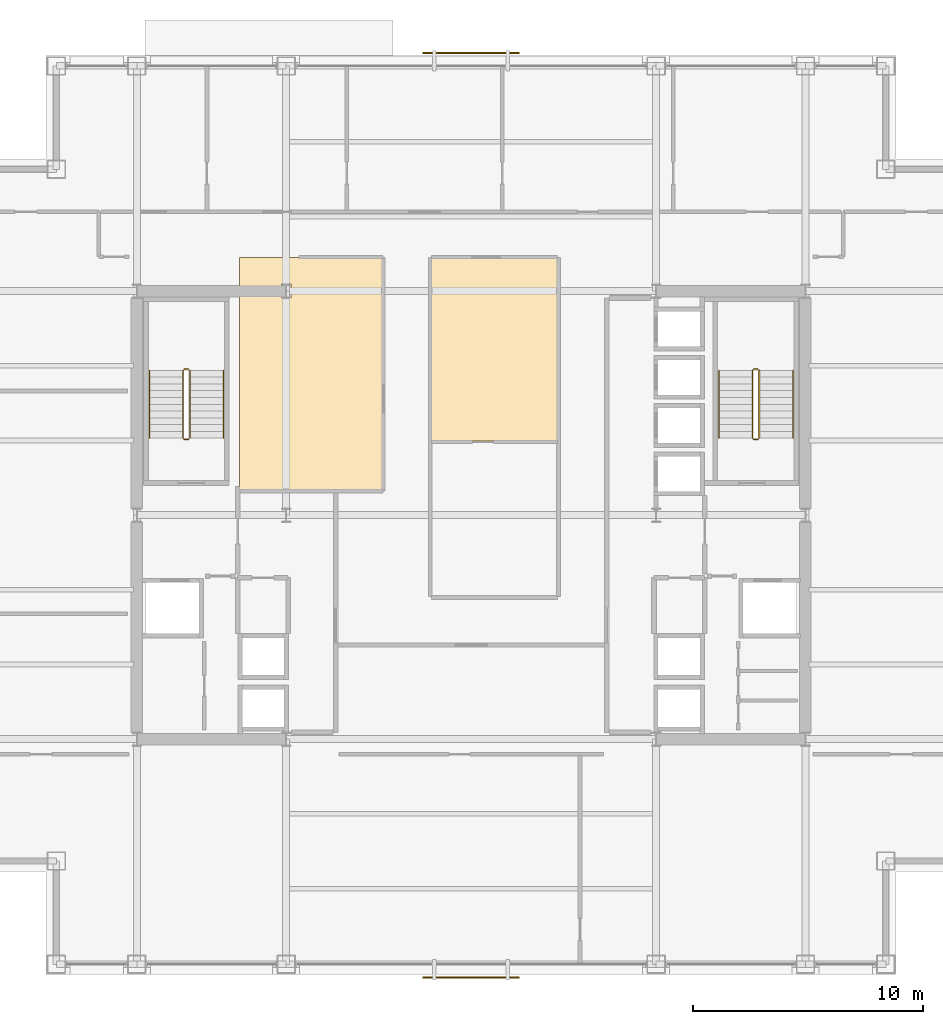
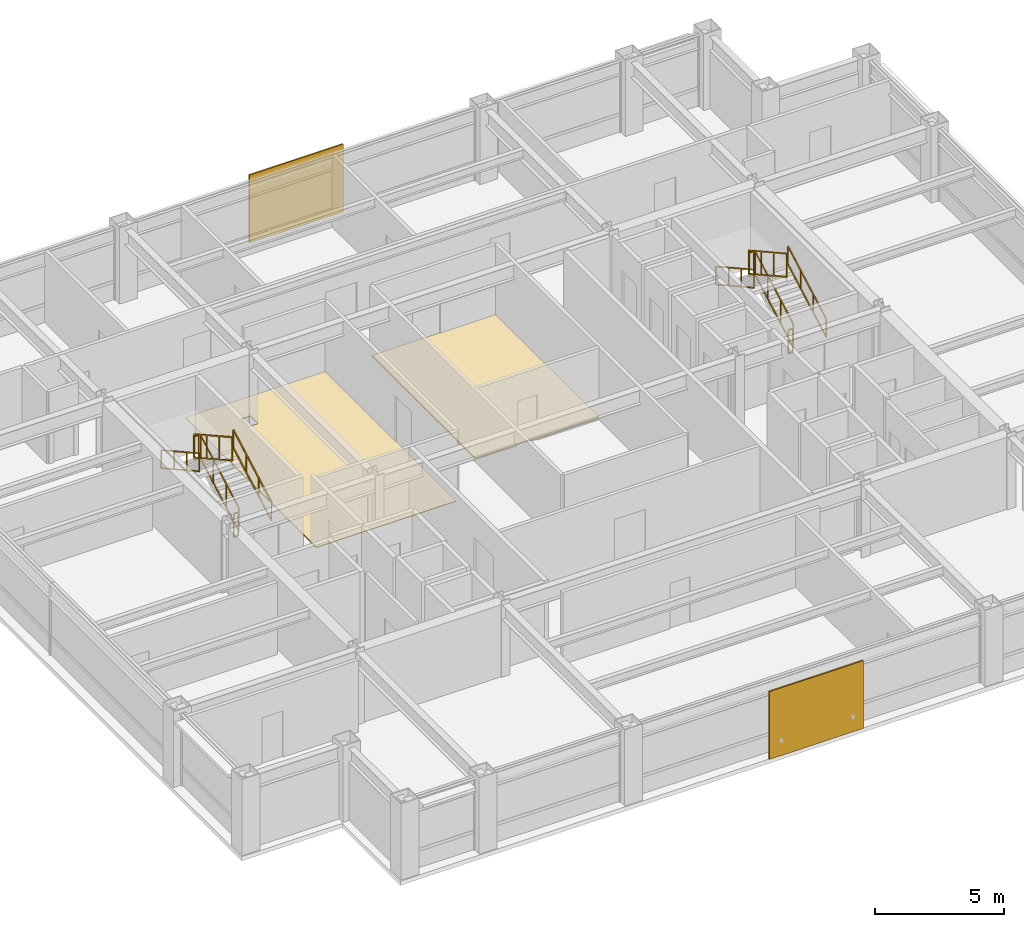
# One storey, part 28 of 28: 12 railings, 2 coverings, 2 shading devices.
"""IFC4 building model written with IfcOpenShell, lengths in metres."""

from ifc_helpers import new_model, si_unit, direction, frame, origin, origin_2d, place, context, subcontext, project, spatial, polyline, rectangle, outline, extrude, material, layer, layer_set, type_object, element, save


model = new_model("IFC4")

# Units and contexts
model_context = context("Model", 3, precision=1e-05, world=origin(), true_north=direction((0.0, 1.0)))
body_context = subcontext(model_context, "Body", "Model", "MODEL_VIEW")
ifc_project = project(units=[si_unit("LENGTHUNIT", "METRE"), si_unit("AREAUNIT", "SQUARE_METRE"), si_unit("VOLUMEUNIT", "CUBIC_METRE"), si_unit("PLANEANGLEUNIT", "RADIAN"), si_unit("MASSUNIT", "GRAM", prefix="KILO")], contexts=[model_context])

# Site, building, storey
site_placement = place(None, origin())
site = spatial("IfcSite", under=ifc_project, at=site_placement, CompositionType="ELEMENT")
building_placement = place(site_placement, origin())
building = spatial("IfcBuilding", under=site, at=building_placement, Name="Brelmoor Portico Tower", CompositionType="ELEMENT")
storey_placement = place(building_placement, frame((0.0, 0.0, 142.199951171875)))
storey = spatial("IfcBuildingStorey", under=building, at=storey_placement, Name="L37", CompositionType="ELEMENT", Elevation=142.199951171875)

# Coverings
ifc_material_1 = material(Name="Calcium-Sulphate Raised Access Floor Panel", Category="steel")
ifc_layer_1 = layer(ifc_material_1, 0.06005859375)
ifc_layer_set_1 = layer_set([ifc_layer_1], Name="Calcium-Sulphate Raised Access Floor Panel")
covering_type_1 = type_object("IfcCoveringType", Name="CV-FLR-ACCESS-60", PredefinedType="FLOORING", material=ifc_layer_set_1)
covering_1_placement = place(storey_placement, origin())
element("IfcCovering", 1, at=covering_1_placement, inside=storey, type_object=covering_type_1, Name="L37 Architectural Floor Finish 02", PredefinedType="FLOORING", context=body_context, shape_type="SweptSolid", body=[
    extrude(outline(polyline([(-1.760009765625, 3.219970703125), (-1.760009765625, 11.2099609375), (3.780029296875, 11.2099609375), (3.780029296875, 3.219970703125), (-1.760009765625, 3.219970703125)])), origin(), (0.0, 0.0, 1.0), 0.06005859375),
])
ifc_material_2 = material(Name="Honed Pearl-Grey Granite Paver Finish", Category="masonry")
ifc_layer_2 = layer(ifc_material_2, 0.0380859375)
ifc_layer_set_2 = layer_set([ifc_layer_2], Name="Honed Pearl-Grey Granite Paver Finish")
covering_type_2 = type_object("IfcCoveringType", Name="CV-FLR-GRANITE-38", PredefinedType="FLOORING", material=ifc_layer_set_2)
covering_2_placement = place(storey_placement, origin())
element("IfcCovering", 2, at=covering_2_placement, inside=storey, type_object=covering_type_2, Name="L37 Architectural Floor Finish 01", PredefinedType="FLOORING", context=body_context, shape_type="SweptSolid", body=[
    extrude(outline(polyline([(-10.080078125, 11.2099609375), (-3.840087890625, 11.2099609375), (-3.840087890625, 1.090087890625), (-10.080078125, 1.090087890625), (-10.080078125, 11.2099609375)]), holes=[polyline([(-7.85009765625, 9.449951171875), (-7.85009765625, 10.050048828125), (-8.25, 10.050048828125), (-8.25, 9.449951171875), (-7.85009765625, 9.449951171875)])]), origin(), (0.0, 0.0, 1.0), 0.0380859375),
])

# Railings
ifc_material_3 = material(Name="Painted Tubular Steel Q235B", Category="steel")
railing_type_1 = type_object("IfcRailingType", Name="RL-STAIR-GUARD", PredefinedType="GUARDRAIL", material=ifc_material_3)
railing_1_placement = place(storey_placement, frame((-12.239990234375, 3.35009765625, 0.16357421875)))
element("IfcRailing", 3, at=railing_1_placement, inside=storey, type_object=railing_type_1, Name="L37 ST-W stair guard 1", PredefinedType="GUARDRAIL", context=body_context, shape_type="SweptSolid", body=[
    extrude(rectangle(XDim=0.048095703125, YDim=0.048095703125, at=origin_2d()), frame((0.0, 0.0, 1.1259765625), z_axis=(0.0, 0.874457516365, 0.485102104791), x_axis=(-1.0, 0.0, 0.0)), (0.0, 0.0, 1.0), 3.37353515625),
    extrude(rectangle(XDim=0.048095703125, YDim=0.048095703125, at=origin_2d()), frame((0.0, 0.0, 0.02392578125), z_axis=(0.0, 0.874457516365, 0.485102104791), x_axis=(-1.0, 0.0, 0.0)), (0.0, 0.0, 1.0), 3.37353515625),
    extrude(rectangle(XDim=0.0419921875, YDim=0.0419921875, at=origin_2d()), origin(), (0.0, 0.0, 1.0), 1.101806640625),
    extrude(rectangle(XDim=0.0419921875, YDim=0.0419921875, at=origin_2d()), frame((0.0, 0.9833984375, 0.54541015625)), (0.0, 0.0, 1.0), 1.101806640625),
    extrude(rectangle(XDim=0.0419921875, YDim=0.0419921875, at=origin_2d()), frame((0.0, 1.966552734375, 1.091064453125)), (0.0, 0.0, 1.0), 1.101806640625),
    extrude(rectangle(XDim=0.0419921875, YDim=0.0419921875, at=origin_2d()), frame((0.0, 2.949951171875, 1.636474609375)), (0.0, 0.0, 1.0), 1.101806640625),
])
railing_2_placement = place(storey_placement, frame((-12.2900390625, 6.35009765625, 1.800048828125)))
element("IfcRailing", 4, at=railing_2_placement, inside=storey, type_object=railing_type_1, Name="L37 ST-W stair guard 2", PredefinedType="GUARDRAIL", context=body_context, shape_type="SweptSolid", body=[
    extrude(rectangle(XDim=0.048095703125, YDim=0.048095703125, at=origin_2d()), frame((0.0, 0.0, 1.1259765625), z_axis=(-1.0, 0.0, 0.0), x_axis=(0.0, -1.0, 0.0)), (0.0, 0.0, 1.0), 0.199951171875),
    extrude(rectangle(XDim=0.048095703125, YDim=0.048095703125, at=origin_2d()), frame((0.0, 0.0, 0.02392578125), z_axis=(-1.0, 0.0, 0.0), x_axis=(0.0, -1.0, 0.0)), (0.0, 0.0, 1.0), 0.199951171875),
    extrude(rectangle(XDim=0.0419921875, YDim=0.0419921875, at=origin_2d()), origin(), (0.0, 0.0, 1.0), 1.101806640625),
    extrude(rectangle(XDim=0.0419921875, YDim=0.0419921875, at=origin_2d()), frame((-0.199951171875, 0.0, 0.0)), (0.0, 0.0, 1.0), 1.101806640625),
])
railing_3_placement = place(storey_placement, frame((-12.5400390625, 6.300048828125, 1.963623046875)))
element("IfcRailing", 5, at=railing_3_placement, inside=storey, type_object=railing_type_1, Name="L37 ST-W stair guard 3", PredefinedType="GUARDRAIL", context=body_context, shape_type="SweptSolid", body=[
    extrude(rectangle(XDim=0.048095703125, YDim=0.048095703125, at=origin_2d()), frame((0.0, 0.0, 1.1259765625), z_axis=(0.0, -0.874457516365, 0.485102104791), x_axis=(1.0, 0.0, 0.0)), (0.0, 0.0, 1.0), 3.37353515625),
    extrude(rectangle(XDim=0.048095703125, YDim=0.048095703125, at=origin_2d()), frame((0.0, 0.0, 0.02392578125), z_axis=(0.0, -0.874457516365, 0.485102104791), x_axis=(1.0, 0.0, 0.0)), (0.0, 0.0, 1.0), 3.37353515625),
    extrude(rectangle(XDim=0.0419921875, YDim=0.0419921875, at=origin_2d()), origin(), (0.0, 0.0, 1.0), 1.101806640625),
    extrude(rectangle(XDim=0.0419921875, YDim=0.0419921875, at=origin_2d()), frame((0.0, -0.9833984375, 0.54541015625)), (0.0, 0.0, 1.0), 1.101806640625),
    extrude(rectangle(XDim=0.0419921875, YDim=0.0419921875, at=origin_2d()), frame((0.0, -1.966552734375, 1.091064453125)), (0.0, 0.0, 1.0), 1.101806640625),
    extrude(rectangle(XDim=0.0419921875, YDim=0.0419921875, at=origin_2d()), frame((0.0, -2.949951171875, 1.636474609375)), (0.0, 0.0, 1.0), 1.101806640625),
])
railing_4_placement = place(storey_placement, frame((-12.2900390625, 3.300048828125, 0.0)))
element("IfcRailing", 6, at=railing_4_placement, inside=storey, type_object=railing_type_1, Name="L37 ST-W stair guard 4", PredefinedType="GUARDRAIL", context=body_context, shape_type="SweptSolid", body=[
    extrude(rectangle(XDim=0.048095703125, YDim=0.048095703125, at=origin_2d()), frame((0.0, 0.0, 1.1259765625), z_axis=(-1.0, 0.0, 0.0), x_axis=(0.0, -1.0, 0.0)), (0.0, 0.0, 1.0), 0.199951171875),
    extrude(rectangle(XDim=0.048095703125, YDim=0.048095703125, at=origin_2d()), frame((0.0, 0.0, 0.02392578125), z_axis=(-1.0, 0.0, 0.0), x_axis=(0.0, -1.0, 0.0)), (0.0, 0.0, 1.0), 0.199951171875),
    extrude(rectangle(XDim=0.0419921875, YDim=0.0419921875, at=origin_2d()), origin(), (0.0, 0.0, 1.0), 1.101806640625),
    extrude(rectangle(XDim=0.0419921875, YDim=0.0419921875, at=origin_2d()), frame((-0.199951171875, 0.0, 0.0)), (0.0, 0.0, 1.0), 1.101806640625),
])
railing_5_placement = place(storey_placement, frame((12.5400390625, 3.35009765625, 0.16357421875)))
element("IfcRailing", 7, at=railing_5_placement, inside=storey, type_object=railing_type_1, Name="L37 ST-E stair guard 1", PredefinedType="GUARDRAIL", context=body_context, shape_type="SweptSolid", body=[
    extrude(rectangle(XDim=0.048095703125, YDim=0.048095703125, at=origin_2d()), frame((0.0, 0.0, 1.1259765625), z_axis=(0.0, 0.874457516365, 0.485102104791), x_axis=(-1.0, 0.0, 0.0)), (0.0, 0.0, 1.0), 3.37353515625),
    extrude(rectangle(XDim=0.048095703125, YDim=0.048095703125, at=origin_2d()), frame((0.0, 0.0, 0.02392578125), z_axis=(0.0, 0.874457516365, 0.485102104791), x_axis=(-1.0, 0.0, 0.0)), (0.0, 0.0, 1.0), 3.37353515625),
    extrude(rectangle(XDim=0.0419921875, YDim=0.0419921875, at=origin_2d()), origin(), (0.0, 0.0, 1.0), 1.101806640625),
    extrude(rectangle(XDim=0.0419921875, YDim=0.0419921875, at=origin_2d()), frame((0.0, 0.9833984375, 0.54541015625)), (0.0, 0.0, 1.0), 1.101806640625),
    extrude(rectangle(XDim=0.0419921875, YDim=0.0419921875, at=origin_2d()), frame((0.0, 1.966552734375, 1.091064453125)), (0.0, 0.0, 1.0), 1.101806640625),
    extrude(rectangle(XDim=0.0419921875, YDim=0.0419921875, at=origin_2d()), frame((0.0, 2.949951171875, 1.636474609375)), (0.0, 0.0, 1.0), 1.101806640625),
])
railing_6_placement = place(storey_placement, frame((12.489990234375, 6.35009765625, 1.800048828125)))
element("IfcRailing", 8, at=railing_6_placement, inside=storey, type_object=railing_type_1, Name="L37 ST-E stair guard 2", PredefinedType="GUARDRAIL", context=body_context, shape_type="SweptSolid", body=[
    extrude(rectangle(XDim=0.048095703125, YDim=0.048095703125, at=origin_2d()), frame((0.0, 0.0, 1.1259765625), z_axis=(-1.0, 0.0, 0.0), x_axis=(0.0, -1.0, 0.0)), (0.0, 0.0, 1.0), 0.199951171875),
    extrude(rectangle(XDim=0.048095703125, YDim=0.048095703125, at=origin_2d()), frame((0.0, 0.0, 0.02392578125), z_axis=(-1.0, 0.0, 0.0), x_axis=(0.0, -1.0, 0.0)), (0.0, 0.0, 1.0), 0.199951171875),
    extrude(rectangle(XDim=0.0419921875, YDim=0.0419921875, at=origin_2d()), origin(), (0.0, 0.0, 1.0), 1.101806640625),
    extrude(rectangle(XDim=0.0419921875, YDim=0.0419921875, at=origin_2d()), frame((-0.199951171875, 0.0, 0.0)), (0.0, 0.0, 1.0), 1.101806640625),
])
railing_7_placement = place(storey_placement, frame((12.239990234375, 6.300048828125, 1.963623046875)))
element("IfcRailing", 9, at=railing_7_placement, inside=storey, type_object=railing_type_1, Name="L37 ST-E stair guard 3", PredefinedType="GUARDRAIL", context=body_context, shape_type="SweptSolid", body=[
    extrude(rectangle(XDim=0.048095703125, YDim=0.048095703125, at=origin_2d()), frame((0.0, 0.0, 1.1259765625), z_axis=(0.0, -0.874457516365, 0.485102104791), x_axis=(1.0, 0.0, 0.0)), (0.0, 0.0, 1.0), 3.37353515625),
    extrude(rectangle(XDim=0.048095703125, YDim=0.048095703125, at=origin_2d()), frame((0.0, 0.0, 0.02392578125), z_axis=(0.0, -0.874457516365, 0.485102104791), x_axis=(1.0, 0.0, 0.0)), (0.0, 0.0, 1.0), 3.37353515625),
    extrude(rectangle(XDim=0.0419921875, YDim=0.0419921875, at=origin_2d()), origin(), (0.0, 0.0, 1.0), 1.101806640625),
    extrude(rectangle(XDim=0.0419921875, YDim=0.0419921875, at=origin_2d()), frame((0.0, -0.9833984375, 0.54541015625)), (0.0, 0.0, 1.0), 1.101806640625),
    extrude(rectangle(XDim=0.0419921875, YDim=0.0419921875, at=origin_2d()), frame((0.0, -1.966552734375, 1.091064453125)), (0.0, 0.0, 1.0), 1.101806640625),
    extrude(rectangle(XDim=0.0419921875, YDim=0.0419921875, at=origin_2d()), frame((0.0, -2.949951171875, 1.636474609375)), (0.0, 0.0, 1.0), 1.101806640625),
])
railing_8_placement = place(storey_placement, frame((12.489990234375, 3.300048828125, 0.0)))
element("IfcRailing", 10, at=railing_8_placement, inside=storey, type_object=railing_type_1, Name="L37 ST-E stair guard 4", PredefinedType="GUARDRAIL", context=body_context, shape_type="SweptSolid", body=[
    extrude(rectangle(XDim=0.048095703125, YDim=0.048095703125, at=origin_2d()), frame((0.0, 0.0, 1.1259765625), z_axis=(-1.0, 0.0, 0.0), x_axis=(0.0, -1.0, 0.0)), (0.0, 0.0, 1.0), 0.199951171875),
    extrude(rectangle(XDim=0.048095703125, YDim=0.048095703125, at=origin_2d()), frame((0.0, 0.0, 0.02392578125), z_axis=(-1.0, 0.0, 0.0), x_axis=(0.0, -1.0, 0.0)), (0.0, 0.0, 1.0), 0.199951171875),
    extrude(rectangle(XDim=0.0419921875, YDim=0.0419921875, at=origin_2d()), origin(), (0.0, 0.0, 1.0), 1.101806640625),
    extrude(rectangle(XDim=0.0419921875, YDim=0.0419921875, at=origin_2d()), frame((-0.199951171875, 0.0, 0.0)), (0.0, 0.0, 1.0), 1.101806640625),
])
ifc_material_4 = material(Name="Brushed Stainless Steel 304", Category="steel")
railing_type_2 = type_object("IfcRailingType", Name="RL-STAIR-HANDRAIL", PredefinedType="HANDRAIL", material=ifc_material_4)
railing_9_placement = place(storey_placement, frame((-10.780029296875, 3.35009765625, 0.16357421875)))
element("IfcRailing", 11, at=railing_9_placement, inside=storey, type_object=railing_type_2, Name="L37 ST-W stair handrail 1", PredefinedType="HANDRAIL", context=body_context, shape_type="SweptSolid", body=[
    extrude(rectangle(XDim=0.048095703125, YDim=0.048095703125, at=origin_2d()), frame((0.0, 0.0, 0.8759765625), z_axis=(0.0, 0.874457516365, 0.485102104791), x_axis=(-1.0, 0.0, 0.0)), (0.0, 0.0, 1.0), 3.37353515625),
    extrude(rectangle(XDim=0.048095703125, YDim=0.048095703125, at=origin_2d()), frame((0.0, 0.0, 0.02392578125), z_axis=(0.0, 0.874457516365, 0.485102104791), x_axis=(-1.0, 0.0, 0.0)), (0.0, 0.0, 1.0), 3.37353515625),
    extrude(rectangle(XDim=0.0419921875, YDim=0.0419921875, at=origin_2d()), origin(), (0.0, 0.0, 1.0), 0.851806640625),
    extrude(rectangle(XDim=0.0419921875, YDim=0.0419921875, at=origin_2d()), frame((0.0, 0.9833984375, 0.54541015625)), (0.0, 0.0, 1.0), 0.851806640625),
    extrude(rectangle(XDim=0.0419921875, YDim=0.0419921875, at=origin_2d()), frame((0.0, 1.966552734375, 1.091064453125)), (0.0, 0.0, 1.0), 0.851806640625),
    extrude(rectangle(XDim=0.0419921875, YDim=0.0419921875, at=origin_2d()), frame((0.0, 2.949951171875, 1.636474609375)), (0.0, 0.0, 1.0), 0.851806640625),
])
railing_10_placement = place(storey_placement, frame((-14.0, 6.300048828125, 1.963623046875)))
element("IfcRailing", 12, at=railing_10_placement, inside=storey, type_object=railing_type_2, Name="L37 ST-W stair handrail 2", PredefinedType="HANDRAIL", context=body_context, shape_type="SweptSolid", body=[
    extrude(rectangle(XDim=0.048095703125, YDim=0.048095703125, at=origin_2d()), frame((0.0, 0.0, 0.8759765625), z_axis=(0.0, -0.874457516365, 0.485102104791), x_axis=(1.0, 0.0, 0.0)), (0.0, 0.0, 1.0), 3.37353515625),
    extrude(rectangle(XDim=0.048095703125, YDim=0.048095703125, at=origin_2d()), frame((0.0, 0.0, 0.02392578125), z_axis=(0.0, -0.874457516365, 0.485102104791), x_axis=(1.0, 0.0, 0.0)), (0.0, 0.0, 1.0), 3.37353515625),
    extrude(rectangle(XDim=0.0419921875, YDim=0.0419921875, at=origin_2d()), origin(), (0.0, 0.0, 1.0), 0.851806640625),
    extrude(rectangle(XDim=0.0419921875, YDim=0.0419921875, at=origin_2d()), frame((0.0, -0.9833984375, 0.54541015625)), (0.0, 0.0, 1.0), 0.851806640625),
    extrude(rectangle(XDim=0.0419921875, YDim=0.0419921875, at=origin_2d()), frame((0.0, -1.966552734375, 1.091064453125)), (0.0, 0.0, 1.0), 0.851806640625),
    extrude(rectangle(XDim=0.0419921875, YDim=0.0419921875, at=origin_2d()), frame((0.0, -2.949951171875, 1.636474609375)), (0.0, 0.0, 1.0), 0.851806640625),
])
railing_11_placement = place(storey_placement, frame((14.0, 3.35009765625, 0.16357421875)))
element("IfcRailing", 13, at=railing_11_placement, inside=storey, type_object=railing_type_2, Name="L37 ST-E stair handrail 1", PredefinedType="HANDRAIL", context=body_context, shape_type="SweptSolid", body=[
    extrude(rectangle(XDim=0.048095703125, YDim=0.048095703125, at=origin_2d()), frame((0.0, 0.0, 0.8759765625), z_axis=(0.0, 0.874457516365, 0.485102104791), x_axis=(-1.0, 0.0, 0.0)), (0.0, 0.0, 1.0), 3.37353515625),
    extrude(rectangle(XDim=0.048095703125, YDim=0.048095703125, at=origin_2d()), frame((0.0, 0.0, 0.02392578125), z_axis=(0.0, 0.874457516365, 0.485102104791), x_axis=(-1.0, 0.0, 0.0)), (0.0, 0.0, 1.0), 3.37353515625),
    extrude(rectangle(XDim=0.0419921875, YDim=0.0419921875, at=origin_2d()), origin(), (0.0, 0.0, 1.0), 0.851806640625),
    extrude(rectangle(XDim=0.0419921875, YDim=0.0419921875, at=origin_2d()), frame((0.0, 0.9833984375, 0.54541015625)), (0.0, 0.0, 1.0), 0.851806640625),
    extrude(rectangle(XDim=0.0419921875, YDim=0.0419921875, at=origin_2d()), frame((0.0, 1.966552734375, 1.091064453125)), (0.0, 0.0, 1.0), 0.851806640625),
    extrude(rectangle(XDim=0.0419921875, YDim=0.0419921875, at=origin_2d()), frame((0.0, 2.949951171875, 1.636474609375)), (0.0, 0.0, 1.0), 0.851806640625),
])
railing_12_placement = place(storey_placement, frame((10.780029296875, 6.300048828125, 1.963623046875)))
element("IfcRailing", 14, at=railing_12_placement, inside=storey, type_object=railing_type_2, Name="L37 ST-E stair handrail 2", PredefinedType="HANDRAIL", context=body_context, shape_type="SweptSolid", body=[
    extrude(rectangle(XDim=0.048095703125, YDim=0.048095703125, at=origin_2d()), frame((0.0, 0.0, 0.8759765625), z_axis=(0.0, -0.874457516365, 0.485102104791), x_axis=(1.0, 0.0, 0.0)), (0.0, 0.0, 1.0), 3.37353515625),
    extrude(rectangle(XDim=0.048095703125, YDim=0.048095703125, at=origin_2d()), frame((0.0, 0.0, 0.02392578125), z_axis=(0.0, -0.874457516365, 0.485102104791), x_axis=(1.0, 0.0, 0.0)), (0.0, 0.0, 1.0), 3.37353515625),
    extrude(rectangle(XDim=0.0419921875, YDim=0.0419921875, at=origin_2d()), origin(), (0.0, 0.0, 1.0), 0.851806640625),
    extrude(rectangle(XDim=0.0419921875, YDim=0.0419921875, at=origin_2d()), frame((0.0, -0.9833984375, 0.54541015625)), (0.0, 0.0, 1.0), 0.851806640625),
    extrude(rectangle(XDim=0.0419921875, YDim=0.0419921875, at=origin_2d()), frame((0.0, -1.966552734375, 1.091064453125)), (0.0, 0.0, 1.0), 0.851806640625),
    extrude(rectangle(XDim=0.0419921875, YDim=0.0419921875, at=origin_2d()), frame((0.0, -2.949951171875, 1.636474609375)), (0.0, 0.0, 1.0), 0.851806640625),
])

# Shading devices
ifc_material_5 = material(Name="Perforated Pale Champagne Aluminium Solar Screen", Category="aluminium")
ifc_layer_3 = layer(ifc_material_5, 0.06494140625)
ifc_layer_set_3 = layer_set([ifc_layer_3], Name="Perforated Pale Champagne Aluminium Solar Screen")
shading_device_type = type_object("IfcShadingDeviceType", Name="SD-SOLAR-SCREEN", PredefinedType="USERDEFINED", material=ifc_layer_set_3)
for number, where, z_axis, x_axis, name in (
    (15, (0.0, -20.1201171875, 0.10009765625), (0.0, 0.0, 1.0), (1.0, 0.0, 0.0), "L37 Perforated Solar Screen S1"),
    (16, (0.0, 20.1201171875, 0.10009765625), (0.0, 0.0, 1.0), (1.0, 0.0, 0.0), "L37 Perforated Solar Screen N1"),
):
    element("IfcShadingDevice", number, at=place(storey_placement, frame(where, z_axis=z_axis, x_axis=x_axis)), inside=storey, type_object=shading_device_type, Name=name, ObjectType="SCREEN", PredefinedType="USERDEFINED", context=body_context, shape_type="SweptSolid", body=[
        extrude(rectangle(XDim=4.199951171875, YDim=0.06494140625, at=origin_2d()), origin(), (0.0, 0.0, 1.0), 3.199951171875),
    ])

save(model, "model.ifc")
